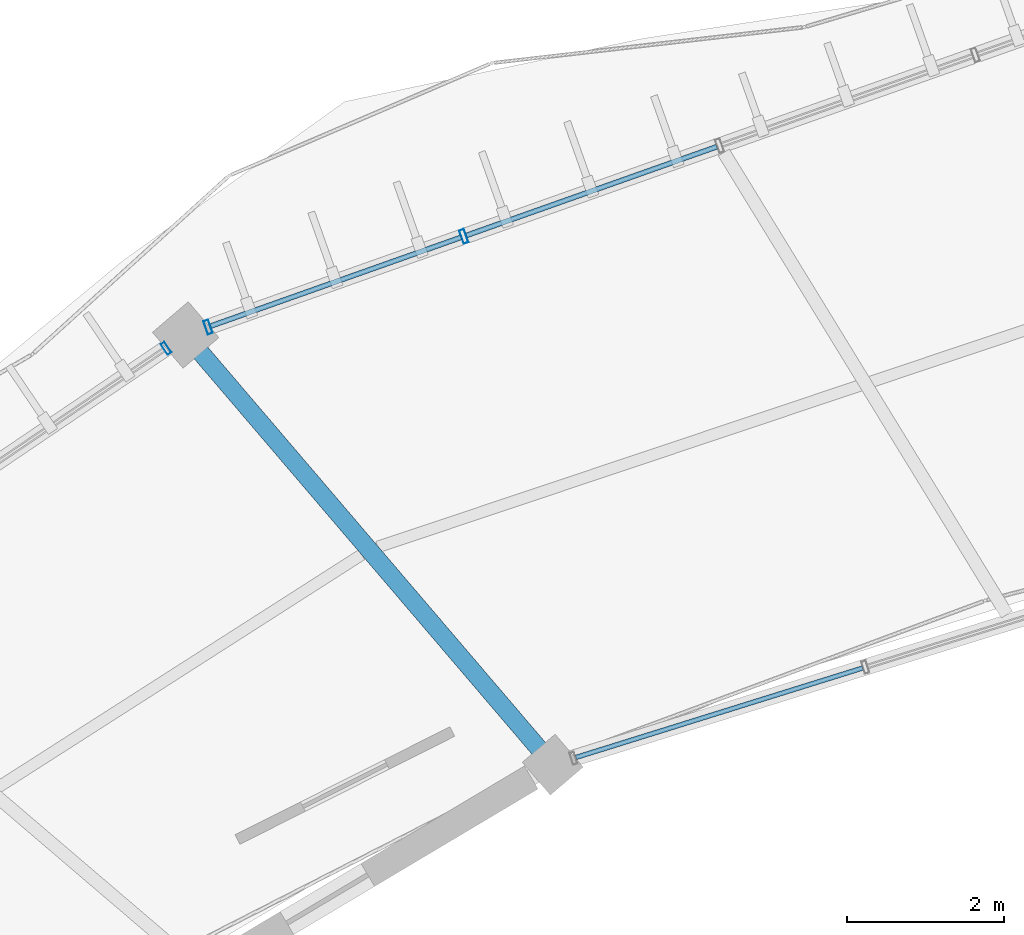
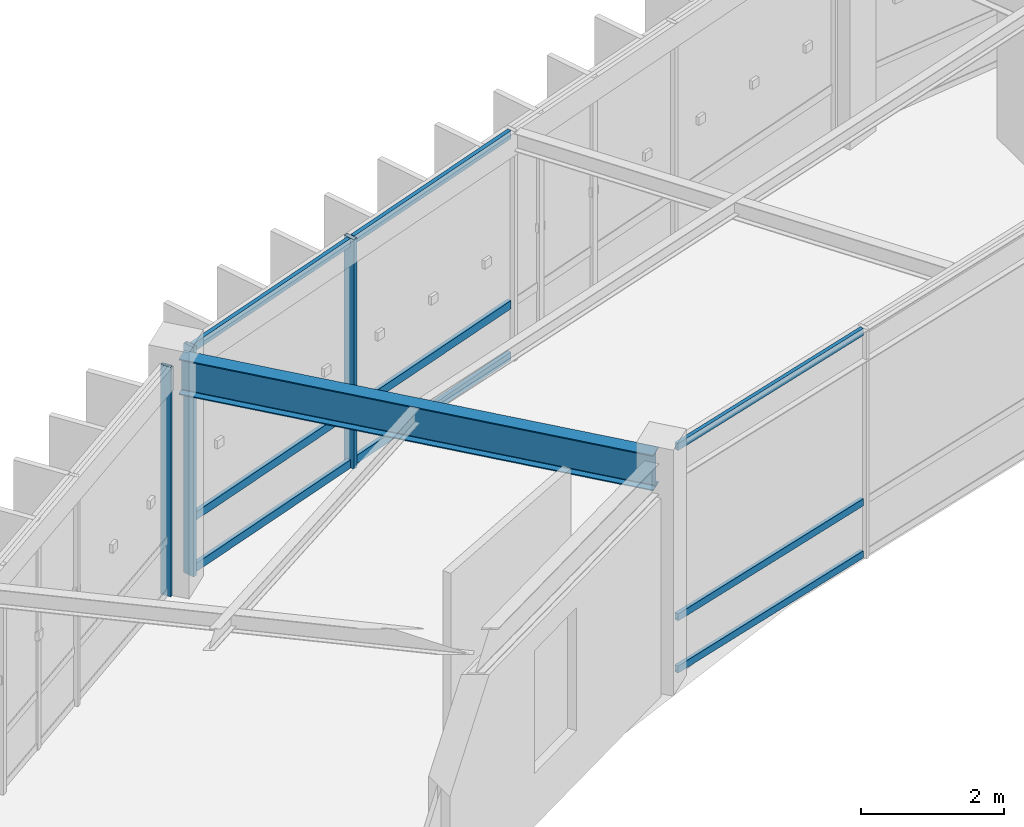
# One storey, part 24 of 83: 12 members, 1 beam, 3 elements without a shape of their own.
"""IFC4 building model written with IfcOpenShell, lengths in metres."""

import ifcopenshell
import ifcopenshell.guid

model = None  # the IFC model being written
_history = None  # IfcOwnerHistory: only IFC2X3 demands one
_inside = {}  # id of a spatial element -> (the spatial element, [elements in it])
_under = {}  # id of a project, library or spatial element -> (it, [spatial elements below it])
_declared = {}  # id of a project -> (the project, [libraries it declares])
_typed = {}  # id of a type object -> (the type object, [elements of that type])
_made_of = {}  # id of a material, layer set ... -> (it, [elements and type objects made of it])


def new_model(schema):
    """Start an empty IFC model of exactly this schema.

    Asked for "IFC4X3", IfcOpenShell would pick the latest addendum, in which some entities
    have other attributes; the version numbers below select the first issue.
    IFC2X3 requires an IfcOwnerHistory on every rooted entity: one is made here for all.
    """
    global model, _history
    if schema == "IFC4X3":
        model = ifcopenshell.file(schema_version=(4, 3, 0, 0))
    else:
        model = ifcopenshell.file(schema=schema)
    _inside.clear()
    _under.clear()
    _declared.clear()
    _typed.clear()
    _made_of.clear()
    _history = None
    if model.schema == "IFC2X3":
        org = make("IfcOrganization", Name="unknown")
        user = make(
            "IfcPersonAndOrganization",
            ThePerson=make("IfcPerson", FamilyName="unknown"),
            TheOrganization=org,
        )
        app = make(
            "IfcApplication",
            ApplicationDeveloper=org,
            Version="unknown",
            ApplicationFullName="unknown",
            ApplicationIdentifier="unknown",
        )
        _history = make(
            "IfcOwnerHistory",
            OwningUser=user,
            OwningApplication=app,
            ChangeAction="ADDED",
            CreationDate=0,
        )
    return model


def make(cls, **values):
    """One entity of the class cls with the attributes given. An attribute that is None is left unset."""
    return model.create_entity(
        cls, **{name: value for name, value in values.items() if value is not None}
    )


def rooted(cls, **values):
    """An entity with a GlobalId (a new one), such as an element, a storey or a relation."""
    return make(cls, GlobalId=ifcopenshell.guid.new(), OwnerHistory=_history, **values)


def si_unit(unit_type, name, prefix=None):
    """IfcSIUnit, for example si_unit("LENGTHUNIT", "METRE", prefix="MILLI")."""
    return make("IfcSIUnit", UnitType=unit_type, Prefix=prefix, Name=name)


def assignment(units):
    """IfcUnitAssignment: the units of a project."""
    return None if units is None else make("IfcUnitAssignment", Units=units)


def point(xyz):
    """IfcCartesianPoint."""
    return None if xyz is None else make("IfcCartesianPoint", Coordinates=xyz)


def direction(xyz):
    """IfcDirection."""
    return None if xyz is None else make("IfcDirection", DirectionRatios=xyz)


def frame(location, z_axis=None, x_axis=None):
    """IfcAxis2Placement3D, a coordinate frame: its origin and axes. An axis left out is left unset."""
    return make(
        "IfcAxis2Placement3D",
        Location=point(location),
        Axis=direction(z_axis),
        RefDirection=direction(x_axis),
    )


def frame_2d(location, x_axis=None):
    """IfcAxis2Placement2D, a coordinate frame in the plane: its origin and x axis."""
    return make(
        "IfcAxis2Placement2D", Location=point(location), RefDirection=direction(x_axis)
    )


def origin():
    """The frame at (0, 0, 0) with its axes left unset."""
    return frame((0.0, 0.0, 0.0))


def origin_2d():
    """The frame at (0, 0) in the plane with its x axis left unset."""
    return frame_2d((0.0, 0.0))


def place(relative_to, where):
    """IfcLocalPlacement: puts the frame where relative to a parent placement (None: the world)."""
    return make(
        "IfcLocalPlacement", PlacementRelTo=relative_to, RelativePlacement=where
    )


def context(
    kind, dimensions, precision=None, world=None, true_north=None, identifier=None
):
    """IfcGeometricRepresentationContext, for example the 3D "Model" context."""
    return make(
        "IfcGeometricRepresentationContext",
        ContextIdentifier=identifier,
        ContextType=kind,
        CoordinateSpaceDimension=dimensions,
        Precision=precision,
        WorldCoordinateSystem=world,
        TrueNorth=true_north,
    )


def subcontext(parent, identifier, kind, view, scale=None):
    """IfcGeometricRepresentationSubContext, for example "Body" below "Model"."""
    return make(
        "IfcGeometricRepresentationSubContext",
        ContextIdentifier=identifier,
        ContextType=kind,
        ParentContext=parent,
        TargetScale=scale,
        TargetView=view,
    )


def project(units=None, contexts=None):
    """IfcProject with its units and contexts."""
    return rooted(
        "IfcProject",
        Name="project",
        RepresentationContexts=contexts,
        UnitsInContext=assignment(units),
    )


def spatial(cls, under=None, at=None, **own):
    """A site, building, storey or space (cls), placed at a placement, below another one or the project."""
    s = rooted(cls, ObjectPlacement=at, **own)
    if under is not None:
        _under.setdefault(under.id(), (under, []))[1].append(s)
    return s


def profile(cls, at=None, kind="AREA", **sizes):
    """A parametric profile (cls). Its sizes go by their IFC names, for example OverallWidth=200.0."""
    return make(cls, ProfileType=kind, Position=at, **sizes)


def hollow_rectangle(**sizes):
    """IfcRectangleHollowProfileDef."""
    return profile("IfcRectangleHollowProfileDef", **sizes)


def i_section(**sizes):
    """IfcIShapeProfileDef."""
    return profile("IfcIShapeProfileDef", **sizes)


def extrude(swept, where, along, depth):
    """IfcExtrudedAreaSolid: the profile swept, set in the frame where, extruded along a direction by depth."""
    return make(
        "IfcExtrudedAreaSolid",
        SweptArea=swept,
        Position=where,
        ExtrudedDirection=direction(along),
        Depth=depth,
    )


def shape(context_of_items, identifier, shape_type, items):
    """IfcShapeRepresentation: the items that make up one representation, for example the "Body"."""
    return make(
        "IfcShapeRepresentation",
        ContextOfItems=context_of_items,
        RepresentationIdentifier=identifier,
        RepresentationType=shape_type,
        Items=items,
    )


def material(Name=None, Category=None):
    """IfcMaterial."""
    return make("IfcMaterial", Name=Name, Category=Category)


def material_profile(
    of_material, cross_section, Name=None, Category=None, Priority=None
):
    """IfcMaterialProfile: a cross section and its material."""
    return make(
        "IfcMaterialProfile",
        Name=Name,
        Material=of_material,
        Profile=cross_section,
        Priority=Priority,
        Category=Category,
    )


def profile_set(profiles, Name=None, composite=None):
    """IfcMaterialProfileSet."""
    return make(
        "IfcMaterialProfileSet",
        Name=Name,
        MaterialProfiles=profiles,
        CompositeProfile=composite,
    )


def made_of(thing, what):
    """Note that an element or type object is made of a material, layer set ...; save() writes the relation."""
    if what is not None:
        _made_of.setdefault(what.id(), (what, []))[1].append(thing)
    return thing


def type_object(cls, material=None, **own):
    """A type object (cls), such as IfcWallType, which elements share."""
    return made_of(rooted(cls, **own), material)


def element(
    cls,
    number,
    at=None,
    inside=None,
    cuts=None,
    type_object=None,
    material=None,
    context=None,
    identifier="Body",
    shape_type=None,
    held_by="IfcProductDefinitionShape",
    body=None,
    shapes=None,
    **own,
):
    """One element of the class cls, such as IfcWall. Its Tag is "e" and its number.

    at: its placement. inside: the storey or other place that contains it. cuts: it is an
    opening in that element (IfcRelVoidsElement). A single representation is given by context,
    identifier, shape_type and body (its items); several are given by shapes. held_by: the class
    of the entity that holds the representations. save() writes the other relations.
    """
    e = rooted(cls, Tag="e%d" % number, ObjectPlacement=at, **own)
    if body is not None:
        shapes = [shape(context, identifier, shape_type, body)]
    if shapes is not None:
        e.Representation = make(held_by, Representations=shapes)
    if inside is not None:
        _inside.setdefault(inside.id(), (inside, []))[1].append(e)
    if cuts is not None:
        rooted(
            "IfcRelVoidsElement", RelatingBuildingElement=cuts, RelatedOpeningElement=e
        )
    if type_object is not None:
        _typed.setdefault(type_object.id(), (type_object, []))[1].append(e)
    return made_of(e, material)


def aggregate(whole, parts):
    """IfcRelAggregates: a whole, such as a stair, and the parts it consists of."""
    return rooted("IfcRelAggregates", RelatingObject=whole, RelatedObjects=parts)


def save(model, path):
    """Write the relations noted so far, then the file.

    IfcRelAggregates (storeys below a building ...), IfcRelContainedInSpatialStructure (elements
    in a storey), IfcRelDefinesByType, IfcRelAssociatesMaterial and IfcRelDeclares: one each for
    every whole, place, type object, material and project.
    """
    for whole, parts in _under.values():
        aggregate(whole, parts)
    for where, things in _inside.values():
        rooted(
            "IfcRelContainedInSpatialStructure",
            RelatedElements=things,
            RelatingStructure=where,
        )
    for kind, things in _typed.values():
        rooted("IfcRelDefinesByType", RelatedObjects=things, RelatingType=kind)
    for what, things in _made_of.values():
        rooted("IfcRelAssociatesMaterial", RelatedObjects=things, RelatingMaterial=what)
    for by, libraries in _declared.values():
        rooted("IfcRelDeclares", RelatingContext=by, RelatedDefinitions=libraries)
    model.write(path)


model = new_model("IFC4")

# Units and contexts
model_context = context("Model", 3, precision=1e-05, world=origin(), true_north=direction((0.0, 1.0)))
body_context = subcontext(model_context, "Body", "Model", "MODEL_VIEW")
ifc_project = project(units=[si_unit("LENGTHUNIT", "METRE"), si_unit("AREAUNIT", "SQUARE_METRE"), si_unit("VOLUMEUNIT", "CUBIC_METRE"), si_unit("PLANEANGLEUNIT", "RADIAN"), si_unit("MASSUNIT", "GRAM", prefix="KILO"), si_unit("THERMODYNAMICTEMPERATUREUNIT", "KELVIN"), si_unit("POWERUNIT", "WATT")], contexts=[model_context])

# Site, building, storey
site_placement = place(None, origin())
site = spatial("IfcSite", under=ifc_project, at=site_placement, CompositionType="ELEMENT")
building_placement = place(site_placement, origin())
building = spatial("IfcBuilding", under=site, at=building_placement, Name="Darbajah Civic Hall", CompositionType="ELEMENT")
storey_placement = place(building_placement, frame((0.0, 0.0, 18.0)))
storey = spatial("IfcBuildingStorey", under=building, at=storey_placement, Name="L04", CompositionType="ELEMENT", Elevation=18.0)

# Curtain wall, member
ifc_material_1 = material(Name="Anodised Bronze Aluminium and Low-E Glazing", Category="aluminium")
curtain_wall_type_1 = type_object("IfcCurtainWallType", Name="Unitised Curtain Wall CW-58 11900x3900", PredefinedType="USERDEFINED", material=ifc_material_1)
curtain_wall_1_placement = place(storey_placement, origin())
curtain_wall_1 = element("IfcCurtainWall", 1, at=curtain_wall_1_placement, inside=storey, type_object=curtain_wall_type_1, Name="L04 unitised curtain wall CW-V1O-L04-07", ObjectType="UNITISED CURTAIN WALL", PredefinedType="USERDEFINED")
ifc_material_2 = material(Name="Anodised Bronze Aluminium", Category="aluminium")
ifc_material_profile_1 = material_profile(ifc_material_2, hollow_rectangle(XDim=0.06005859375, YDim=0.159912109375, WallThickness=0.00341796875, at=origin_2d()), Name="ALU MULLION 60x160")
ifc_profile_set_1 = profile_set([ifc_material_profile_1], Name="Anodised Bronze Aluminium")
member_type_1 = type_object("IfcMemberType", Name="ALU MULLION 60x160", PredefinedType="MULLION", material=ifc_profile_set_1)
member_1_placement = place(storey_placement, frame((55.72802734375, 112.062744140625, 0.0), z_axis=(0.0, 0.0, 1.0), x_axis=(-0.827962472047, -0.560783509816, 0.0)))
member_1 = element("IfcMember", 2, at=member_1_placement, type_object=member_type_1, Name="CW-V1O-L04-07 mullion 1", PredefinedType="MULLION", context=body_context, shape_type="SweptSolid", body=[
    extrude(hollow_rectangle(XDim=0.06005859375, YDim=0.159912109375, WallThickness=0.00341796875, at=origin_2d()), origin(), (0.0, 0.0, 1.0), 3.919921875),
])
aggregate(curtain_wall_1, [member_1])

# Curtain wall, members
curtain_wall_type_2 = type_object("IfcCurtainWallType", Name="Unitised Curtain Wall CW-57 13800x3900", PredefinedType="USERDEFINED", material=ifc_material_1)
curtain_wall_2_placement = place(storey_placement, origin())
curtain_wall_2 = element("IfcCurtainWall", 3, at=curtain_wall_2_placement, inside=storey, type_object=curtain_wall_type_2, Name="L04 unitised curtain wall CW-V1O-L04-06", ObjectType="UNITISED CURTAIN WALL", PredefinedType="USERDEFINED")
ifc_material_profile_2 = material_profile(ifc_material_2, hollow_rectangle(XDim=0.06494140625, YDim=0.179931640625, WallThickness=0.00390625, at=origin_2d()), Name="ALU MULLION 65x180")
ifc_profile_set_2 = profile_set([ifc_material_profile_2], Name="Anodised Bronze Aluminium")
member_type_2 = type_object("IfcMemberType", Name="ALU MULLION 65x180", PredefinedType="MULLION", material=ifc_profile_set_2)
member_2_placement = place(storey_placement, frame((59.521728515625, 113.488037109375, 0.0), z_axis=(0.0, 0.0, 1.0), x_axis=(-0.94252491309, -0.334135882844, 0.0)))
member_2 = element("IfcMember", 4, at=member_2_placement, type_object=member_type_2, Name="CW-V1O-L04-06 mullion 4", PredefinedType="MULLION", context=body_context, shape_type="SweptSolid", body=[
    extrude(hollow_rectangle(XDim=0.06494140625, YDim=0.179931640625, WallThickness=0.00390625, at=origin_2d()), origin(), (0.0, 0.0, 1.0), 3.919921875),
])
member_3_placement = place(storey_placement, frame((56.2626953125, 112.3330078125, 0.0), z_axis=(0.0, 0.0, 1.0), x_axis=(-0.94252491309, -0.334135882844, 0.0)))
member_3 = element("IfcMember", 5, at=member_3_placement, type_object=member_type_2, Name="CW-V1O-L04-06 mullion 5", PredefinedType="MULLION", context=body_context, shape_type="SweptSolid", body=[
    extrude(hollow_rectangle(XDim=0.06494140625, YDim=0.179931640625, WallThickness=0.00390625, at=origin_2d()), origin(), (0.0, 0.0, 1.0), 3.919921875),
])

curtain_wall_type_3 = type_object("IfcCurtainWallType", Name="Unitised Curtain Wall CW-67 11700x3900", PredefinedType="USERDEFINED", material=ifc_material_1)
curtain_wall_3_placement = place(storey_placement, origin())
curtain_wall_3 = element("IfcCurtainWall", 6, at=curtain_wall_3_placement, inside=storey, type_object=curtain_wall_type_3, Name="L04 unitised curtain wall CW-V1I-L04-06", ObjectType="UNITISED CURTAIN WALL", PredefinedType="USERDEFINED")
ifc_material_profile_3 = material_profile(ifc_material_2, hollow_rectangle(XDim=0.06005859375, YDim=0.1201171875, WallThickness=0.003173828125, at=origin_2d()), Name="ALU TRANSOM 60x120")
ifc_profile_set_3 = profile_set([ifc_material_profile_3], Name="Anodised Bronze Aluminium")
member_type_3 = type_object("IfcMemberType", Name="ALU TRANSOM 60x120", PredefinedType="USERDEFINED", material=ifc_profile_set_3)
member_4_placement = place(storey_placement, frame((64.603759765625, 107.9892578125, 0.06005859375), z_axis=(-0.954632024493, -0.297788008175, 0.0), x_axis=(0.297788008175, -0.954632024493, 0.0)))
member_4 = element("IfcMember", 7, at=member_4_placement, type_object=member_type_3, Name="CW-V1I-L04-06 transom 3.1", ObjectType="TRANSOM", PredefinedType="USERDEFINED", context=body_context, shape_type="SweptSolid", body=[
    extrude(hollow_rectangle(XDim=0.06005859375, YDim=0.1201171875, WallThickness=0.003173828125, at=origin_2d()), origin(), (0.0, 0.0, 1.0), 3.825439453125),
])
member_5_placement = place(storey_placement, frame((64.603759765625, 107.9892578125, 0.949951171875), z_axis=(-0.954632024493, -0.297788008175, 0.0), x_axis=(0.297788008175, -0.954632024493, 0.0)))
member_5 = element("IfcMember", 8, at=member_5_placement, type_object=member_type_3, Name="CW-V1I-L04-06 transom 3.2", ObjectType="TRANSOM", PredefinedType="USERDEFINED", context=body_context, shape_type="SweptSolid", body=[
    extrude(hollow_rectangle(XDim=0.06005859375, YDim=0.1201171875, WallThickness=0.003173828125, at=origin_2d()), origin(), (0.0, 0.0, 1.0), 3.825439453125),
])
member_6_placement = place(storey_placement, frame((64.603759765625, 107.9892578125, 3.860107421875), z_axis=(-0.954632024493, -0.297788008175, 0.0), x_axis=(0.297788008175, -0.954632024493, 0.0)))
member_6 = element("IfcMember", 9, at=member_6_placement, type_object=member_type_3, Name="CW-V1I-L04-06 transom 3.3", ObjectType="TRANSOM", PredefinedType="USERDEFINED", context=body_context, shape_type="SweptSolid", body=[
    extrude(hollow_rectangle(XDim=0.06005859375, YDim=0.1201171875, WallThickness=0.003173828125, at=origin_2d()), origin(), (0.0, 0.0, 1.0), 3.825439453125),
])
aggregate(curtain_wall_3, [member_4, member_5, member_6])

# Member
ifc_material_profile_4 = material_profile(ifc_material_2, hollow_rectangle(XDim=0.06494140625, YDim=0.139892578125, WallThickness=0.00341796875, at=origin_2d()), Name="ALU TRANSOM 65x140")
ifc_profile_set_4 = profile_set([ifc_material_profile_4], Name="Anodised Bronze Aluminium")
member_type_4 = type_object("IfcMemberType", Name="ALU TRANSOM 65x140", PredefinedType="USERDEFINED", material=ifc_profile_set_4)
member_7_placement = place(storey_placement, frame((62.745361328125, 114.630615234375, 0.070068359375), z_axis=(-0.942545814069, -0.334076919857, 0.0), x_axis=(0.334076919857, -0.942545814069, 0.0)))
member_7 = element("IfcMember", 10, at=member_7_placement, type_object=member_type_4, Name="CW-V1O-L04-06 transom 3.1", ObjectType="TRANSOM", PredefinedType="USERDEFINED", context=body_context, shape_type="SweptSolid", body=[
    extrude(hollow_rectangle(XDim=0.06494140625, YDim=0.139892578125, WallThickness=0.00341796875, at=origin_2d()), origin(), (0.0, 0.0, 1.0), 3.3828125),
])

member_8_placement = place(storey_placement, frame((62.745361328125, 114.630615234375, 0.949951171875), z_axis=(-0.942545814069, -0.334076919857, 0.0), x_axis=(0.334076919857, -0.942545814069, 0.0)))
member_8 = element("IfcMember", 11, at=member_8_placement, type_object=member_type_4, Name="CW-V1O-L04-06 transom 3.2", ObjectType="TRANSOM", PredefinedType="USERDEFINED", context=body_context, shape_type="SweptSolid", body=[
    extrude(hollow_rectangle(XDim=0.06494140625, YDim=0.139892578125, WallThickness=0.00341796875, at=origin_2d()), origin(), (0.0, 0.0, 1.0), 3.3828125),
])

member_9_placement = place(storey_placement, frame((62.745361328125, 114.630615234375, 3.85009765625), z_axis=(-0.942545814069, -0.334076919857, 0.0), x_axis=(0.334076919857, -0.942545814069, 0.0)))
member_9 = element("IfcMember", 12, at=member_9_placement, type_object=member_type_4, Name="CW-V1O-L04-06 transom 3.3", ObjectType="TRANSOM", PredefinedType="USERDEFINED", context=body_context, shape_type="SweptSolid", body=[
    extrude(hollow_rectangle(XDim=0.06494140625, YDim=0.139892578125, WallThickness=0.00341796875, at=origin_2d()), origin(), (0.0, 0.0, 1.0), 3.3828125),
])

member_10_placement = place(storey_placement, frame((59.486328125, 113.4755859375, 0.070068359375), z_axis=(-0.942537758494, -0.334099646533, 0.0), x_axis=(0.334099646533, -0.942537758494, 0.0)))
member_10 = element("IfcMember", 13, at=member_10_placement, type_object=member_type_4, Name="CW-V1O-L04-06 transom 4.1", ObjectType="TRANSOM", PredefinedType="USERDEFINED", context=body_context, shape_type="SweptSolid", body=[
    extrude(hollow_rectangle(XDim=0.06494140625, YDim=0.139892578125, WallThickness=0.00341796875, at=origin_2d()), origin(), (0.0, 0.0, 1.0), 3.382568359375),
])

member_11_placement = place(storey_placement, frame((59.486328125, 113.4755859375, 0.949951171875), z_axis=(-0.942537758494, -0.334099646533, 0.0), x_axis=(0.334099646533, -0.942537758494, 0.0)))
member_11 = element("IfcMember", 14, at=member_11_placement, type_object=member_type_4, Name="CW-V1O-L04-06 transom 4.2", ObjectType="TRANSOM", PredefinedType="USERDEFINED", context=body_context, shape_type="SweptSolid", body=[
    extrude(hollow_rectangle(XDim=0.06494140625, YDim=0.139892578125, WallThickness=0.00341796875, at=origin_2d()), origin(), (0.0, 0.0, 1.0), 3.382568359375),
])

member_12_placement = place(storey_placement, frame((59.486328125, 113.4755859375, 3.85009765625), z_axis=(-0.942537758494, -0.334099646533, 0.0), x_axis=(0.334099646533, -0.942537758494, 0.0)))
member_12 = element("IfcMember", 15, at=member_12_placement, type_object=member_type_4, Name="CW-V1O-L04-06 transom 4.3", ObjectType="TRANSOM", PredefinedType="USERDEFINED", context=body_context, shape_type="SweptSolid", body=[
    extrude(hollow_rectangle(XDim=0.06494140625, YDim=0.139892578125, WallThickness=0.00341796875, at=origin_2d()), origin(), (0.0, 0.0, 1.0), 3.382568359375),
])

aggregate(curtain_wall_2, [member_2, member_3, member_7, member_8, member_9, member_10, member_11, member_12])

# Beam
ifc_material_3 = material(Name="Steel S355JR", Category="steel")
ifc_material_profile_5 = material_profile(ifc_material_3, i_section(OverallWidth=0.228271484375, OverallDepth=0.607666015625, WebThickness=0.010986328125, FlangeThickness=0.017333984375, FilletRadius=0.0126953125, at=origin_2d()), Name="UB 610x229x113")
ifc_profile_set_5 = profile_set([ifc_material_profile_5], Name="Steel S355JR")
beam_type = type_object("IfcBeamType", Name="UB 610x229x113", PredefinedType="BEAM", material=ifc_profile_set_5)
beam_placement = place(storey_placement, frame((60.602294921875, 106.81787109375, 3.6162109375), z_axis=(-0.649459534081, 0.760396155692, 0.0), x_axis=(-0.760396155692, -0.649459534081, 0.0)))
element("IfcBeam", 16, at=beam_placement, inside=storey, type_object=beam_type, Name="L04 beam SB-610", PredefinedType="BEAM", context=body_context, shape_type="SweptSolid", body=[
    extrude(i_section(OverallWidth=0.228271484375, OverallDepth=0.607666015625, WebThickness=0.010986328125, FlangeThickness=0.017333984375, FilletRadius=0.0126953125, at=origin_2d()), origin(), (0.0, 0.0, 1.0), 7.0400390625),
])

save(model, "model.ifc")
